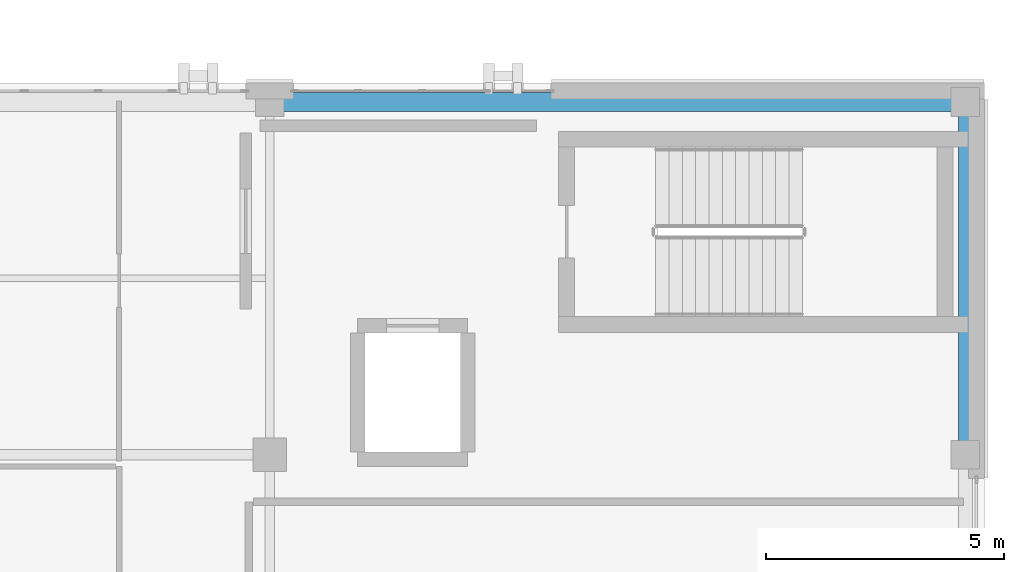
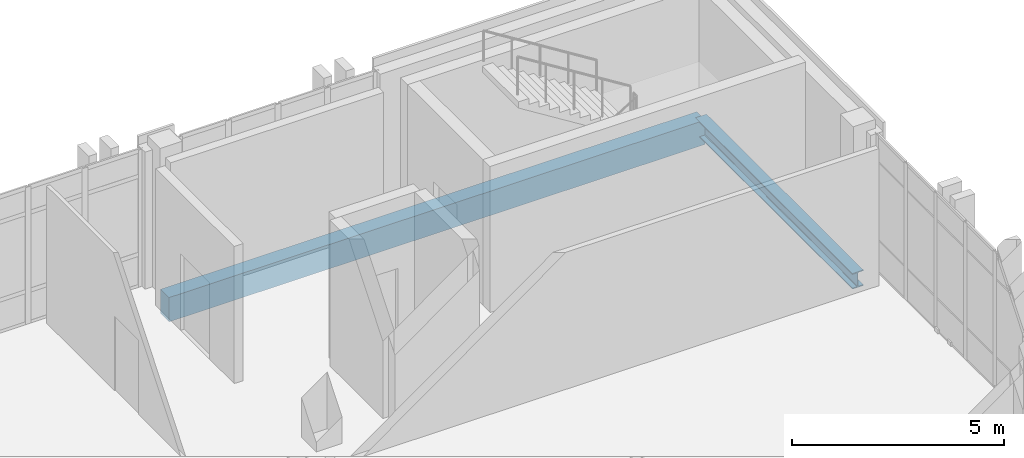
# One storey, part 12 of 22: 2 beams.
"""IFC4 building model written with IfcOpenShell, lengths in metres."""

from ifc_helpers import new_model, si_unit, direction, frame, origin, origin_2d, place, context, subcontext, project, spatial, rectangle, i_section, extrude, material, material_profile, profile_set, type_object, element, save


model = new_model("IFC4")

# Units and contexts
model_context = context("Model", 3, precision=1e-05, world=origin(), true_north=direction((0.0, 1.0)))
body_context = subcontext(model_context, "Body", "Model", "MODEL_VIEW")
ifc_project = project(units=[si_unit("LENGTHUNIT", "METRE"), si_unit("AREAUNIT", "SQUARE_METRE"), si_unit("VOLUMEUNIT", "CUBIC_METRE"), si_unit("PLANEANGLEUNIT", "RADIAN"), si_unit("MASSUNIT", "GRAM", prefix="KILO")], contexts=[model_context])

# Site, building, storey
site_placement = place(None, origin())
site = spatial("IfcSite", under=ifc_project, at=site_placement, CompositionType="ELEMENT")
building_placement = place(site_placement, origin())
building = spatial("IfcBuilding", under=site, at=building_placement, Name="Qalavern Law Courts", CompositionType="ELEMENT")
storey_placement = place(building_placement, frame((0.0, 0.0, 35.39990234375)))
storey = spatial("IfcBuildingStorey", under=building, at=storey_placement, Name="L08", CompositionType="ELEMENT", Elevation=35.39990234375)

# Beams
ifc_material_1 = material(Name="Steel S355", Category="steel")
ifc_material_profile_1 = material_profile(ifc_material_1, i_section(OverallWidth=0.300048828125, OverallDepth=0.449951171875, WebThickness=0.013916015625, FlangeThickness=0.02587890625, FilletRadius=0.027099609375, at=origin_2d()), Name="HEB 450")
ifc_profile_set_1 = profile_set([ifc_material_profile_1], Name="Steel S355")
beam_type_1 = type_object("IfcBeamType", Name="STR-SP-HEB450", PredefinedType="SPANDREL", material=ifc_profile_set_1)
beam_1_placement = place(storey_placement, frame((106.39990234375, 65.39990234375, -0.48486328125), z_axis=(0.0, 1.0, 0.0), x_axis=(-1.0, 0.0, 0.0)))
element("IfcBeam", 1, at=beam_1_placement, inside=storey, type_object=beam_type_1, Name="V4 Y-beam 3-4 L08", PredefinedType="SPANDREL", context=body_context, shape_type="SweptSolid", body=[
    extrude(i_section(OverallWidth=0.300048828125, OverallDepth=0.449951171875, WebThickness=0.013916015625, FlangeThickness=0.02587890625, FilletRadius=0.027099609375, at=origin_2d()), origin(), (0.0, 0.0, 1.0), 7.400146484375),
])
ifc_material_2 = material(Name="Concrete C40/50", Category="concrete")
ifc_material_profile_2 = material_profile(ifc_material_2, rectangle(XDim=0.39990234375, YDim=0.699951171875, at=origin_2d()), Name="RC 400x700")
ifc_profile_set_2 = profile_set([ifc_material_profile_2], Name="Concrete C40/50")
beam_type_2 = type_object("IfcBeamType", Name="STR-SP-RC400x700", PredefinedType="SPANDREL", material=ifc_profile_set_2)
beam_2_placement = place(storey_placement, frame((91.800048828125, 72.800048828125, -0.60986328125), z_axis=(1.0, 0.0, 0.0), x_axis=(0.0, 1.0, 0.0)))
element("IfcBeam", 2, at=beam_2_placement, inside=storey, type_object=beam_type_2, Name="V4 X-beam 5-2 L08", PredefinedType="SPANDREL", context=body_context, shape_type="SweptSolid", body=[
    extrude(rectangle(XDim=0.39990234375, YDim=0.699951171875, at=origin_2d()), origin(), (0.0, 0.0, 1.0), 14.599853515625),
])

save(model, "model.ifc")
